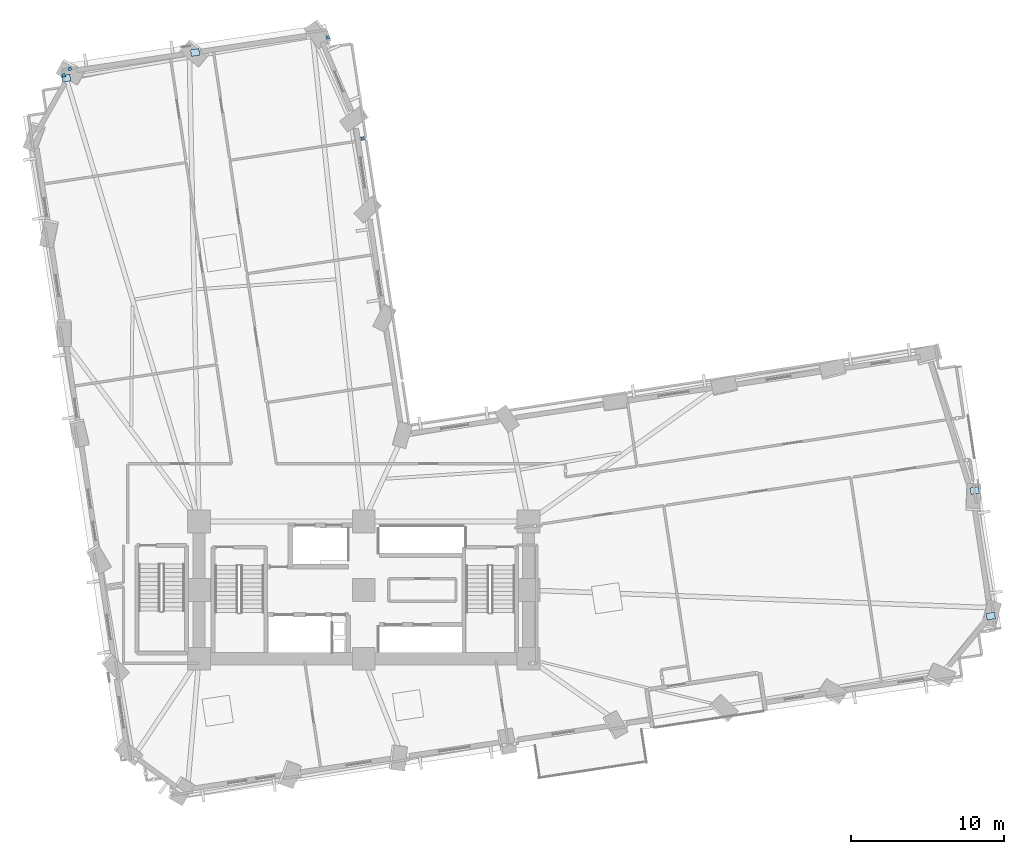
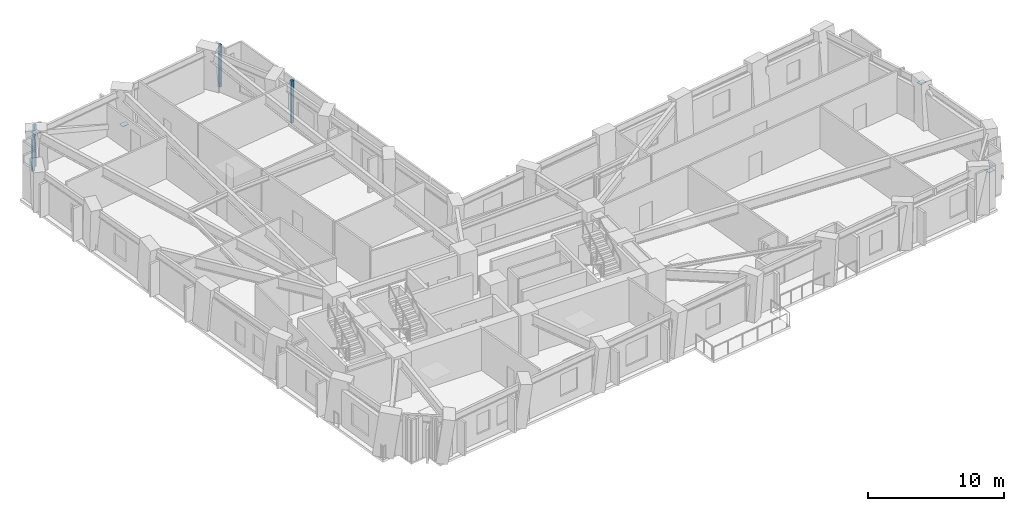
# One storey, part 6 of 15: 8 plates.
"""IFC4 building model written with IfcOpenShell, lengths in metres."""

from ifc_helpers import new_model, si_unit, direction, frame, origin, origin_2d, place, context, subcontext, project, spatial, rectangle, extrude, material, layer, layer_set, type_object, element, save


model = new_model("IFC4")

# Units and contexts
model_context = context("Model", 3, precision=1e-05, world=origin(), true_north=direction((0.0, 1.0)))
body_context = subcontext(model_context, "Body", "Model", "MODEL_VIEW")
ifc_project = project(units=[si_unit("LENGTHUNIT", "METRE"), si_unit("AREAUNIT", "SQUARE_METRE"), si_unit("VOLUMEUNIT", "CUBIC_METRE"), si_unit("PLANEANGLEUNIT", "RADIAN"), si_unit("MASSUNIT", "GRAM", prefix="KILO")], contexts=[model_context])

# Site, building, storey
site_placement = place(None, origin())
site = spatial("IfcSite", under=ifc_project, at=site_placement, CompositionType="ELEMENT")
building_placement = place(site_placement, origin())
building = spatial("IfcBuilding", under=site, at=building_placement, Name="Gaonmaruhae Medical Tower", CompositionType="ELEMENT")
storey_placement = place(building_placement, frame((0.0, 0.0, 59.0)))
storey = spatial("IfcBuildingStorey", under=building, at=storey_placement, Name="L13", CompositionType="ELEMENT", Elevation=59.0)

# Plates
ifc_material_1 = material(Name="Steel HSA650 (650 MPa)", Category="steel")
ifc_layer_1 = layer(ifc_material_1, 0.028076171875)
ifc_layer_set_1 = layer_set([ifc_layer_1], Name="Steel HSA650 (650 MPa)")
plate_type_1 = type_object("IfcPlateType", Name="GP-02 Tube Brace End Cap Gusset Plate", PredefinedType="USERDEFINED", material=ifc_layer_set_1)
for number, where, z_axis, x_axis, name in (
    (1, (65.920654296875, 10.597412109375, 0.23583984375), (0.0, 0.0, 1.0), (0.988886498745, 0.148672433897, 0.0), "L13 Gusset Cap Plate PLT-L13-PBR-E01A"),
    (2, (64.864501953125, 18.828125, 3.51611328125), (0.0, 0.0, 1.0), (0.986285601537, 0.165047605861, 0.0), "L13 Gusset Cap Plate PLT-L13-PBR-E01B"),
    (3, (13.746826171875, 47.55126953125, 0.23583984375), (0.0, 0.0, 1.0), (0.988886498745, 0.148672433897, 0.0), "L13 Gusset Cap Plate PLT-L13-PBR-N02A"),
    (4, (5.284912109375, 45.865478515625, 3.51611328125), (0.0, 0.0, 1.0), (0.986285601537, 0.165047605861, 0.0), "L13 Gusset Cap Plate PLT-L13-PBR-N02B"),
):
    element("IfcPlate", number, at=place(storey_placement, frame(where, z_axis=z_axis, x_axis=x_axis)), inside=storey, type_object=plate_type_1, Name=name, ObjectType="GUSSET_PLATE", PredefinedType="USERDEFINED", context=body_context, shape_type="SweptSolid", body=[
        extrude(rectangle(XDim=0.56005859375, YDim=0.43994140625, at=origin_2d()), origin(), (0.0, 0.0, 1.0), 0.028076171875),
    ])
ifc_material_2 = material(Name="Anodised aluminium 6063-T6", Category="aluminium")
ifc_layer_2 = layer(ifc_material_2, 0.011962890625)
ifc_layer_set_2 = layer_set([ifc_layer_2], Name="Anodised aluminium 6063-T6")
plate_type_2 = type_object("IfcPlateType", Name="PP-01 Interior Partition Corner Stiffener Plate", PredefinedType="SHEET", material=ifc_layer_set_2)
plate_placement = place(storey_placement, frame((5.1240234375, 46.051025390625, 0.0), z_axis=(0.0, 0.0, 1.0), x_axis=(-0.148206415623, 0.988956449177, 0.0)))
element("IfcPlate", 5, at=plate_placement, inside=storey, type_object=plate_type_2, Name="L13 Partition Corner Stiffener Plate PLT-L13-JGP-PW056", PredefinedType="SHEET", context=body_context, shape_type="SweptSolid", body=[
    extrude(rectangle(XDim=0.219970703125, YDim=0.219970703125, at=origin_2d()), origin(), (0.0, 0.0, 1.0), 2.864990234375),
])
for number, where, z_axis, x_axis, name in (
    (6, (5.5205078125, 46.486083984375, 0.0), (0.0, 0.0, 1.0), (0.988847542504, 0.148931318679, 0.0), "L13 Partition Corner Stiffener Plate PLT-L13-JGP-PW057"),
    (7, (24.7255859375, 41.910400390625, 0.0), (0.0, 0.0, 1.0), (-0.988591360666, -0.150622447253, 0.0), "L13 Partition Corner Stiffener Plate PLT-L13-JGP-PW083"),
    (8, (22.446533203125, 48.53759765625, 0.0), (0.0, 0.0, 1.0), (0.149345513091, -0.98878507155, 0.0), "L13 Partition Corner Stiffener Plate PLT-L13-JGP-PW086"),
):
    element("IfcPlate", number, at=place(storey_placement, frame(where, z_axis=z_axis, x_axis=x_axis)), inside=storey, type_object=plate_type_2, Name=name, PredefinedType="SHEET", context=body_context, shape_type="SweptSolid", body=[
        extrude(rectangle(XDim=0.219970703125, YDim=0.219970703125, at=origin_2d()), origin(), (0.0, 0.0, 1.0), 3.780029296875),
    ])

save(model, "model.ifc")
